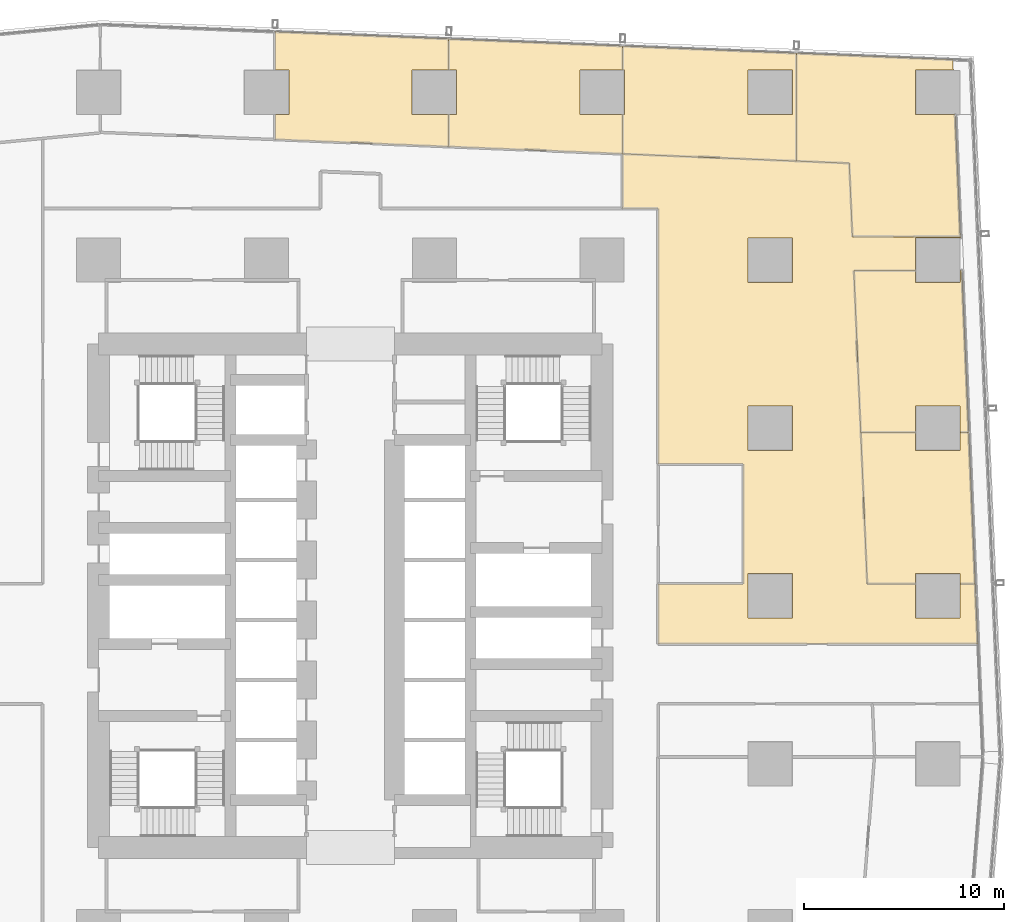
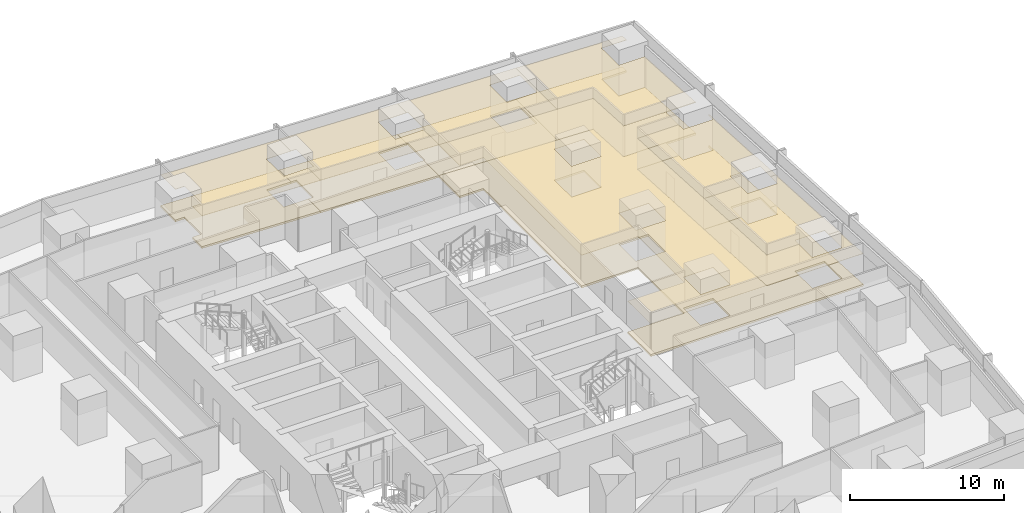
# One storey, part 44 of 44: 14 coverings.
"""IFC4 building model written with IfcOpenShell, lengths in metres."""

import ifcopenshell
import ifcopenshell.guid

model = None  # the IFC model being written
_history = None  # IfcOwnerHistory: only IFC2X3 demands one
_inside = {}  # id of a spatial element -> (the spatial element, [elements in it])
_under = {}  # id of a project, library or spatial element -> (it, [spatial elements below it])
_declared = {}  # id of a project -> (the project, [libraries it declares])
_typed = {}  # id of a type object -> (the type object, [elements of that type])
_made_of = {}  # id of a material, layer set ... -> (it, [elements and type objects made of it])


def new_model(schema):
    """Start an empty IFC model of exactly this schema.

    Asked for "IFC4X3", IfcOpenShell would pick the latest addendum, in which some entities
    have other attributes; the version numbers below select the first issue.
    IFC2X3 requires an IfcOwnerHistory on every rooted entity: one is made here for all.
    """
    global model, _history
    if schema == "IFC4X3":
        model = ifcopenshell.file(schema_version=(4, 3, 0, 0))
    else:
        model = ifcopenshell.file(schema=schema)
    _inside.clear()
    _under.clear()
    _declared.clear()
    _typed.clear()
    _made_of.clear()
    _history = None
    if model.schema == "IFC2X3":
        org = make("IfcOrganization", Name="unknown")
        user = make(
            "IfcPersonAndOrganization",
            ThePerson=make("IfcPerson", FamilyName="unknown"),
            TheOrganization=org,
        )
        app = make(
            "IfcApplication",
            ApplicationDeveloper=org,
            Version="unknown",
            ApplicationFullName="unknown",
            ApplicationIdentifier="unknown",
        )
        _history = make(
            "IfcOwnerHistory",
            OwningUser=user,
            OwningApplication=app,
            ChangeAction="ADDED",
            CreationDate=0,
        )
    return model


def make(cls, **values):
    """One entity of the class cls with the attributes given. An attribute that is None is left unset."""
    return model.create_entity(
        cls, **{name: value for name, value in values.items() if value is not None}
    )


def rooted(cls, **values):
    """An entity with a GlobalId (a new one), such as an element, a storey or a relation."""
    return make(cls, GlobalId=ifcopenshell.guid.new(), OwnerHistory=_history, **values)


def si_unit(unit_type, name, prefix=None):
    """IfcSIUnit, for example si_unit("LENGTHUNIT", "METRE", prefix="MILLI")."""
    return make("IfcSIUnit", UnitType=unit_type, Prefix=prefix, Name=name)


def assignment(units):
    """IfcUnitAssignment: the units of a project."""
    return None if units is None else make("IfcUnitAssignment", Units=units)


def point(xyz):
    """IfcCartesianPoint."""
    return None if xyz is None else make("IfcCartesianPoint", Coordinates=xyz)


def direction(xyz):
    """IfcDirection."""
    return None if xyz is None else make("IfcDirection", DirectionRatios=xyz)


def frame(location, z_axis=None, x_axis=None):
    """IfcAxis2Placement3D, a coordinate frame: its origin and axes. An axis left out is left unset."""
    return make(
        "IfcAxis2Placement3D",
        Location=point(location),
        Axis=direction(z_axis),
        RefDirection=direction(x_axis),
    )


def origin():
    """The frame at (0, 0, 0) with its axes left unset."""
    return frame((0.0, 0.0, 0.0))


def place(relative_to, where):
    """IfcLocalPlacement: puts the frame where relative to a parent placement (None: the world)."""
    return make(
        "IfcLocalPlacement", PlacementRelTo=relative_to, RelativePlacement=where
    )


def context(
    kind, dimensions, precision=None, world=None, true_north=None, identifier=None
):
    """IfcGeometricRepresentationContext, for example the 3D "Model" context."""
    return make(
        "IfcGeometricRepresentationContext",
        ContextIdentifier=identifier,
        ContextType=kind,
        CoordinateSpaceDimension=dimensions,
        Precision=precision,
        WorldCoordinateSystem=world,
        TrueNorth=true_north,
    )


def subcontext(parent, identifier, kind, view, scale=None):
    """IfcGeometricRepresentationSubContext, for example "Body" below "Model"."""
    return make(
        "IfcGeometricRepresentationSubContext",
        ContextIdentifier=identifier,
        ContextType=kind,
        ParentContext=parent,
        TargetScale=scale,
        TargetView=view,
    )


def project(units=None, contexts=None):
    """IfcProject with its units and contexts."""
    return rooted(
        "IfcProject",
        Name="project",
        RepresentationContexts=contexts,
        UnitsInContext=assignment(units),
    )


def spatial(cls, under=None, at=None, **own):
    """A site, building, storey or space (cls), placed at a placement, below another one or the project."""
    s = rooted(cls, ObjectPlacement=at, **own)
    if under is not None:
        _under.setdefault(under.id(), (under, []))[1].append(s)
    return s


def polyline(points):
    """IfcPolyline through the points."""
    return make("IfcPolyline", Points=[point(p) for p in points])


def outline(outer, holes=None, kind="AREA"):
    """IfcArbitraryClosedProfileDef: a profile drawn as a closed curve; with holes, ...WithVoids."""
    if holes is None:
        return make("IfcArbitraryClosedProfileDef", ProfileType=kind, OuterCurve=outer)
    return make(
        "IfcArbitraryProfileDefWithVoids",
        ProfileType=kind,
        OuterCurve=outer,
        InnerCurves=holes,
    )


def extrude(swept, where, along, depth):
    """IfcExtrudedAreaSolid: the profile swept, set in the frame where, extruded along a direction by depth."""
    return make(
        "IfcExtrudedAreaSolid",
        SweptArea=swept,
        Position=where,
        ExtrudedDirection=direction(along),
        Depth=depth,
    )


def shape(context_of_items, identifier, shape_type, items):
    """IfcShapeRepresentation: the items that make up one representation, for example the "Body"."""
    return make(
        "IfcShapeRepresentation",
        ContextOfItems=context_of_items,
        RepresentationIdentifier=identifier,
        RepresentationType=shape_type,
        Items=items,
    )


def material(Name=None, Category=None):
    """IfcMaterial."""
    return make("IfcMaterial", Name=Name, Category=Category)


def layer(
    of_material, thickness, ventilated=None, Name=None, Category=None, Priority=None
):
    """IfcMaterialLayer: one layer of a wall or slab, of a material (None: an air gap)."""
    return make(
        "IfcMaterialLayer",
        Material=of_material,
        LayerThickness=thickness,
        IsVentilated=ventilated,
        Name=Name,
        Category=Category,
        Priority=Priority,
    )


def layer_set(layers, Name=None):
    """IfcMaterialLayerSet."""
    return make("IfcMaterialLayerSet", MaterialLayers=layers, LayerSetName=Name)


def made_of(thing, what):
    """Note that an element or type object is made of a material, layer set ...; save() writes the relation."""
    if what is not None:
        _made_of.setdefault(what.id(), (what, []))[1].append(thing)
    return thing


def type_object(cls, material=None, **own):
    """A type object (cls), such as IfcWallType, which elements share."""
    return made_of(rooted(cls, **own), material)


def element(
    cls,
    number,
    at=None,
    inside=None,
    cuts=None,
    type_object=None,
    material=None,
    context=None,
    identifier="Body",
    shape_type=None,
    held_by="IfcProductDefinitionShape",
    body=None,
    shapes=None,
    **own,
):
    """One element of the class cls, such as IfcWall. Its Tag is "e" and its number.

    at: its placement. inside: the storey or other place that contains it. cuts: it is an
    opening in that element (IfcRelVoidsElement). A single representation is given by context,
    identifier, shape_type and body (its items); several are given by shapes. held_by: the class
    of the entity that holds the representations. save() writes the other relations.
    """
    e = rooted(cls, Tag="e%d" % number, ObjectPlacement=at, **own)
    if body is not None:
        shapes = [shape(context, identifier, shape_type, body)]
    if shapes is not None:
        e.Representation = make(held_by, Representations=shapes)
    if inside is not None:
        _inside.setdefault(inside.id(), (inside, []))[1].append(e)
    if cuts is not None:
        rooted(
            "IfcRelVoidsElement", RelatingBuildingElement=cuts, RelatedOpeningElement=e
        )
    if type_object is not None:
        _typed.setdefault(type_object.id(), (type_object, []))[1].append(e)
    return made_of(e, material)


def aggregate(whole, parts):
    """IfcRelAggregates: a whole, such as a stair, and the parts it consists of."""
    return rooted("IfcRelAggregates", RelatingObject=whole, RelatedObjects=parts)


def save(model, path):
    """Write the relations noted so far, then the file.

    IfcRelAggregates (storeys below a building ...), IfcRelContainedInSpatialStructure (elements
    in a storey), IfcRelDefinesByType, IfcRelAssociatesMaterial and IfcRelDeclares: one each for
    every whole, place, type object, material and project.
    """
    for whole, parts in _under.values():
        aggregate(whole, parts)
    for where, things in _inside.values():
        rooted(
            "IfcRelContainedInSpatialStructure",
            RelatedElements=things,
            RelatingStructure=where,
        )
    for kind, things in _typed.values():
        rooted("IfcRelDefinesByType", RelatedObjects=things, RelatingType=kind)
    for what, things in _made_of.values():
        rooted("IfcRelAssociatesMaterial", RelatedObjects=things, RelatingMaterial=what)
    for by, libraries in _declared.values():
        rooted("IfcRelDeclares", RelatingContext=by, RelatedDefinitions=libraries)
    model.write(path)


model = new_model("IFC4")

# Units and contexts
model_context = context("Model", 3, precision=1e-05, world=origin(), true_north=direction((0.0, 1.0)))
body_context = subcontext(model_context, "Body", "Model", "MODEL_VIEW")
ifc_project = project(units=[si_unit("LENGTHUNIT", "METRE"), si_unit("AREAUNIT", "SQUARE_METRE"), si_unit("VOLUMEUNIT", "CUBIC_METRE"), si_unit("PLANEANGLEUNIT", "RADIAN"), si_unit("MASSUNIT", "GRAM", prefix="KILO")], contexts=[model_context])

# Site, building, storey
site_placement = place(None, origin())
site = spatial("IfcSite", under=ifc_project, at=site_placement, CompositionType="ELEMENT")
building_placement = place(site_placement, origin())
building = spatial("IfcBuilding", under=site, at=building_placement, Name="Rekha Terrace Tower", CompositionType="ELEMENT")
storey_placement = place(building_placement, frame((0.0, 0.0, 74.14990234375)))
storey = spatial("IfcBuildingStorey", under=building, at=storey_placement, Name="L18", CompositionType="ELEMENT", Elevation=74.14990234375)

# Coverings
ifc_material_1 = material(Name="Mineral fibre tile in exposed grid", Category="finish")
ifc_layer_1 = layer(ifc_material_1, 0.02001953125)
ifc_layer_set_1 = layer_set([ifc_layer_1], Name="Mineral fibre tile in exposed grid")
covering_type_1 = type_object("IfcCoveringType", Name="CL1 600x1200 office grid ceiling", PredefinedType="CEILING", material=ifc_layer_set_1)
covering_1_placement = place(storey_placement, frame((0.0, 0.0, 2.580078125)))
element("IfcCovering", 1, at=covering_1_placement, inside=storey, type_object=covering_type_1, Name="Ceiling L18-07", PredefinedType="CEILING", context=body_context, shape_type="SweptSolid", body=[
    extrude(outline(polyline([(68.31494140625, 34.201904296875), (69.06689453125, 34.201904296875), (68.742919921875, 41.781005859375), (68.31494140625, 41.781005859375), (68.31494140625, 40.885009765625), (66.0849609375, 40.885009765625), (66.0849609375, 41.781005859375), (63.337890625, 41.781005859375), (63.662109375, 34.201904296875), (66.0849609375, 34.201904296875), (66.0849609375, 34.715087890625), (68.31494140625, 34.715087890625), (68.31494140625, 34.201904296875)])), origin(), (0.0, 0.0, 1.0), 0.02001953125),
])
covering_2_placement = place(storey_placement, frame((0.0, 0.0, 2.580078125)))
element("IfcCovering", 2, at=covering_2_placement, inside=storey, type_object=covering_type_1, Name="Ceiling L18-08", PredefinedType="CEILING", context=body_context, shape_type="SweptSolid", body=[
    extrude(outline(polyline([(68.31494140625, 41.781982421875), (68.742919921875, 41.781982421875), (68.39697265625, 49.87890625), (68.31494140625, 49.87890625), (68.31494140625, 49.284912109375), (66.0849609375, 49.284912109375), (66.0849609375, 49.87890625), (62.991943359375, 49.87890625), (63.337890625, 41.781982421875), (66.0849609375, 41.781982421875), (66.0849609375, 43.114990234375), (68.31494140625, 43.114990234375), (68.31494140625, 41.781982421875)])), origin(), (0.0, 0.0, 1.0), 0.02001953125),
])
covering_3_placement = place(storey_placement, frame((0.0, 0.0, 2.580078125)))
element("IfcCovering", 3, at=covering_3_placement, inside=storey, type_object=covering_type_1, Name="Ceiling L18-09", PredefinedType="CEILING", context=body_context, shape_type="SweptSolid", body=[
    extrude(outline(polyline([(67.946044921875, 60.443115234375), (60.112060546875, 60.76611328125), (60.112060546875, 55.361083984375), (62.762939453125, 55.251953125), (62.9208984375, 51.556884765625), (68.325927734375, 51.556884765625), (68.06396484375, 57.68505859375), (66.0849609375, 57.68505859375), (66.0849609375, 59.9150390625), (67.968994140625, 59.9150390625), (67.946044921875, 60.443115234375)])), origin(), (0.0, 0.0, 1.0), 0.02001953125),
])
covering_4_placement = place(storey_placement, frame((0.0, 0.0, 2.580078125)))
element("IfcCovering", 4, at=covering_4_placement, inside=storey, type_object=covering_type_1, Name="Ceiling L18-10", PredefinedType="CEILING", context=body_context, shape_type="SweptSolid", body=[
    extrude(outline(polyline([(60.111083984375, 55.361083984375), (60.111083984375, 60.76611328125), (51.416015625, 61.1240234375), (51.416015625, 59.9150390625), (51.514892578125, 59.9150390625), (51.514892578125, 57.68505859375), (51.416015625, 57.68505859375), (51.416015625, 55.719970703125), (60.111083984375, 55.361083984375)]), holes=[polyline([(59.9150390625, 57.68505859375), (57.68505859375, 57.68505859375), (57.68505859375, 59.9150390625), (59.9150390625, 59.9150390625), (59.9150390625, 57.68505859375)])]), origin(), (0.0, 0.0, 1.0), 0.02001953125),
])
covering_5_placement = place(storey_placement, frame((0.0, 0.0, 2.580078125)))
element("IfcCovering", 5, at=covering_5_placement, inside=storey, type_object=covering_type_1, Name="Ceiling L18-O2", PredefinedType="CEILING", context=body_context, shape_type="SweptSolid", body=[
    extrude(outline(polyline([(62.762939453125, 55.251953125), (60.111083984375, 55.361083984375), (51.416015625, 55.719970703125), (51.416015625, 53.0), (53.199951171875, 53.0), (53.199951171875, 40.199951171875), (57.449951171875, 40.199951171875), (57.449951171875, 34.199951171875), (53.199951171875, 34.199951171875), (53.199951171875, 31.199951171875), (69.195068359375, 31.199951171875), (69.091064453125, 33.64990234375), (69.06689453125, 34.201904296875), (68.31494140625, 34.201904296875), (68.31494140625, 32.485107421875), (66.0849609375, 32.485107421875), (66.0849609375, 34.201904296875), (63.662109375, 34.201904296875), (63.3369140625, 41.797119140625), (62.991943359375, 49.87890625), (66.0849609375, 49.87890625), (66.0849609375, 51.514892578125), (68.327880859375, 51.514892578125), (68.325927734375, 51.556884765625), (62.9208984375, 51.556884765625), (62.762939453125, 55.251953125)]), holes=[polyline([(59.9150390625, 32.485107421875), (57.68505859375, 32.485107421875), (57.68505859375, 34.715087890625), (59.9150390625, 34.715087890625), (59.9150390625, 32.485107421875)]), polyline([(59.9150390625, 40.885009765625), (57.68505859375, 40.885009765625), (57.68505859375, 43.114990234375), (59.9150390625, 43.114990234375), (59.9150390625, 40.885009765625)]), polyline([(59.9150390625, 49.284912109375), (57.68505859375, 49.284912109375), (57.68505859375, 51.514892578125), (59.9150390625, 51.514892578125), (59.9150390625, 49.284912109375)])]), origin(), (0.0, 0.0, 1.0), 0.02001953125),
])
covering_6_placement = place(storey_placement, frame((0.0, 0.0, 2.580078125)))
element("IfcCovering", 6, at=covering_6_placement, inside=storey, type_object=covering_type_1, Name="Ceiling L18-12", PredefinedType="CEILING", context=body_context, shape_type="SweptSolid", body=[
    extrude(outline(polyline([(51.4150390625, 59.9150390625), (51.4150390625, 61.125), (42.718994140625, 61.48291015625), (42.718994140625, 59.9150390625), (43.114990234375, 59.9150390625), (43.114990234375, 57.68505859375), (42.718994140625, 57.68505859375), (42.718994140625, 56.077880859375), (51.4150390625, 55.719970703125), (51.4150390625, 57.68505859375), (49.284912109375, 57.68505859375), (49.284912109375, 59.9150390625), (51.4150390625, 59.9150390625)])), origin(), (0.0, 0.0, 1.0), 0.02001953125),
])
covering_7_placement = place(storey_placement, frame((0.0, 0.0, 2.580078125)))
element("IfcCovering", 7, at=covering_7_placement, inside=storey, type_object=covering_type_1, Name="Ceiling L18-13", PredefinedType="CEILING", context=body_context, shape_type="SweptSolid", body=[
    extrude(outline(polyline([(42.718017578125, 59.9150390625), (42.718017578125, 61.48291015625), (34.02294921875, 61.841064453125), (34.02294921875, 59.9150390625), (34.715087890625, 59.9150390625), (34.715087890625, 57.68505859375), (34.02294921875, 57.68505859375), (34.02294921875, 56.43701171875), (42.718017578125, 56.077880859375), (42.718017578125, 57.68505859375), (40.885009765625, 57.68505859375), (40.885009765625, 59.9150390625), (42.718017578125, 59.9150390625)])), origin(), (0.0, 0.0, 1.0), 0.02001953125),
])
ifc_material_2 = material(Name="Calcium sulphate panels on steel pedestals", Category="steel")
ifc_layer_2 = layer(ifc_material_2, 0.14990234375)
ifc_layer_set_2 = layer_set([ifc_layer_2], Name="Calcium sulphate panels on steel pedestals")
covering_type_2 = type_object("IfcCoveringType", Name="RF1 150 raised access floor", PredefinedType="FLOORING", material=ifc_layer_set_2)
covering_8_placement = place(storey_placement, origin())
element("IfcCovering", 8, at=covering_8_placement, inside=storey, type_object=covering_type_2, Name="Raised floor L18-07", PredefinedType="FLOORING", context=body_context, shape_type="SweptSolid", body=[
    extrude(outline(polyline([(68.31494140625, 34.201904296875), (69.06689453125, 34.201904296875), (68.742919921875, 41.781005859375), (68.31494140625, 41.781005859375), (68.31494140625, 40.885009765625), (66.0849609375, 40.885009765625), (66.0849609375, 41.781005859375), (63.337890625, 41.781005859375), (63.662109375, 34.201904296875), (66.0849609375, 34.201904296875), (66.0849609375, 34.715087890625), (68.31494140625, 34.715087890625), (68.31494140625, 34.201904296875)])), origin(), (0.0, 0.0, 1.0), 0.150146484375),
])
covering_9_placement = place(storey_placement, origin())
element("IfcCovering", 9, at=covering_9_placement, inside=storey, type_object=covering_type_2, Name="Raised floor L18-08", PredefinedType="FLOORING", context=body_context, shape_type="SweptSolid", body=[
    extrude(outline(polyline([(68.31494140625, 41.781982421875), (68.742919921875, 41.781982421875), (68.39697265625, 49.87890625), (68.31494140625, 49.87890625), (68.31494140625, 49.284912109375), (66.0849609375, 49.284912109375), (66.0849609375, 49.87890625), (62.991943359375, 49.87890625), (63.337890625, 41.781982421875), (66.0849609375, 41.781982421875), (66.0849609375, 43.114990234375), (68.31494140625, 43.114990234375), (68.31494140625, 41.781982421875)])), origin(), (0.0, 0.0, 1.0), 0.150146484375),
])
covering_10_placement = place(storey_placement, origin())
element("IfcCovering", 10, at=covering_10_placement, inside=storey, type_object=covering_type_2, Name="Raised floor L18-09", PredefinedType="FLOORING", context=body_context, shape_type="SweptSolid", body=[
    extrude(outline(polyline([(67.946044921875, 60.443115234375), (60.112060546875, 60.76611328125), (60.112060546875, 55.361083984375), (62.762939453125, 55.251953125), (62.9208984375, 51.556884765625), (68.325927734375, 51.556884765625), (68.06396484375, 57.68505859375), (66.0849609375, 57.68505859375), (66.0849609375, 59.9150390625), (67.968994140625, 59.9150390625), (67.946044921875, 60.443115234375)])), origin(), (0.0, 0.0, 1.0), 0.150146484375),
])
covering_11_placement = place(storey_placement, origin())
element("IfcCovering", 11, at=covering_11_placement, inside=storey, type_object=covering_type_2, Name="Raised floor L18-10", PredefinedType="FLOORING", context=body_context, shape_type="SweptSolid", body=[
    extrude(outline(polyline([(60.111083984375, 55.361083984375), (60.111083984375, 60.76611328125), (51.416015625, 61.1240234375), (51.416015625, 59.9150390625), (51.514892578125, 59.9150390625), (51.514892578125, 57.68505859375), (51.416015625, 57.68505859375), (51.416015625, 55.719970703125), (60.111083984375, 55.361083984375)]), holes=[polyline([(59.9150390625, 57.68505859375), (57.68505859375, 57.68505859375), (57.68505859375, 59.9150390625), (59.9150390625, 59.9150390625), (59.9150390625, 57.68505859375)])]), origin(), (0.0, 0.0, 1.0), 0.150146484375),
])
covering_12_placement = place(storey_placement, origin())
element("IfcCovering", 12, at=covering_12_placement, inside=storey, type_object=covering_type_2, Name="Raised floor L18-O2", PredefinedType="FLOORING", context=body_context, shape_type="SweptSolid", body=[
    extrude(outline(polyline([(62.762939453125, 55.251953125), (60.111083984375, 55.361083984375), (51.416015625, 55.719970703125), (51.416015625, 53.0), (53.199951171875, 53.0), (53.199951171875, 40.199951171875), (57.449951171875, 40.199951171875), (57.449951171875, 34.199951171875), (53.199951171875, 34.199951171875), (53.199951171875, 31.199951171875), (69.195068359375, 31.199951171875), (69.091064453125, 33.64990234375), (69.06689453125, 34.201904296875), (68.31494140625, 34.201904296875), (68.31494140625, 32.485107421875), (66.0849609375, 32.485107421875), (66.0849609375, 34.201904296875), (63.662109375, 34.201904296875), (63.3369140625, 41.797119140625), (62.991943359375, 49.87890625), (66.0849609375, 49.87890625), (66.0849609375, 51.514892578125), (68.327880859375, 51.514892578125), (68.325927734375, 51.556884765625), (62.9208984375, 51.556884765625), (62.762939453125, 55.251953125)]), holes=[polyline([(59.9150390625, 32.485107421875), (57.68505859375, 32.485107421875), (57.68505859375, 34.715087890625), (59.9150390625, 34.715087890625), (59.9150390625, 32.485107421875)]), polyline([(59.9150390625, 40.885009765625), (57.68505859375, 40.885009765625), (57.68505859375, 43.114990234375), (59.9150390625, 43.114990234375), (59.9150390625, 40.885009765625)]), polyline([(59.9150390625, 49.284912109375), (57.68505859375, 49.284912109375), (57.68505859375, 51.514892578125), (59.9150390625, 51.514892578125), (59.9150390625, 49.284912109375)])]), origin(), (0.0, 0.0, 1.0), 0.150146484375),
])
covering_13_placement = place(storey_placement, origin())
element("IfcCovering", 13, at=covering_13_placement, inside=storey, type_object=covering_type_2, Name="Raised floor L18-12", PredefinedType="FLOORING", context=body_context, shape_type="SweptSolid", body=[
    extrude(outline(polyline([(51.4150390625, 59.9150390625), (51.4150390625, 61.125), (42.718994140625, 61.48291015625), (42.718994140625, 59.9150390625), (43.114990234375, 59.9150390625), (43.114990234375, 57.68505859375), (42.718994140625, 57.68505859375), (42.718994140625, 56.077880859375), (51.4150390625, 55.719970703125), (51.4150390625, 57.68505859375), (49.284912109375, 57.68505859375), (49.284912109375, 59.9150390625), (51.4150390625, 59.9150390625)])), origin(), (0.0, 0.0, 1.0), 0.150146484375),
])
covering_14_placement = place(storey_placement, origin())
element("IfcCovering", 14, at=covering_14_placement, inside=storey, type_object=covering_type_2, Name="Raised floor L18-13", PredefinedType="FLOORING", context=body_context, shape_type="SweptSolid", body=[
    extrude(outline(polyline([(42.718017578125, 59.9150390625), (42.718017578125, 61.48291015625), (34.02294921875, 61.841064453125), (34.02294921875, 59.9150390625), (34.715087890625, 59.9150390625), (34.715087890625, 57.68505859375), (34.02294921875, 57.68505859375), (34.02294921875, 56.43701171875), (42.718017578125, 56.077880859375), (42.718017578125, 57.68505859375), (40.885009765625, 57.68505859375), (40.885009765625, 59.9150390625), (42.718017578125, 59.9150390625)])), origin(), (0.0, 0.0, 1.0), 0.150146484375),
])

save(model, "model.ifc")
